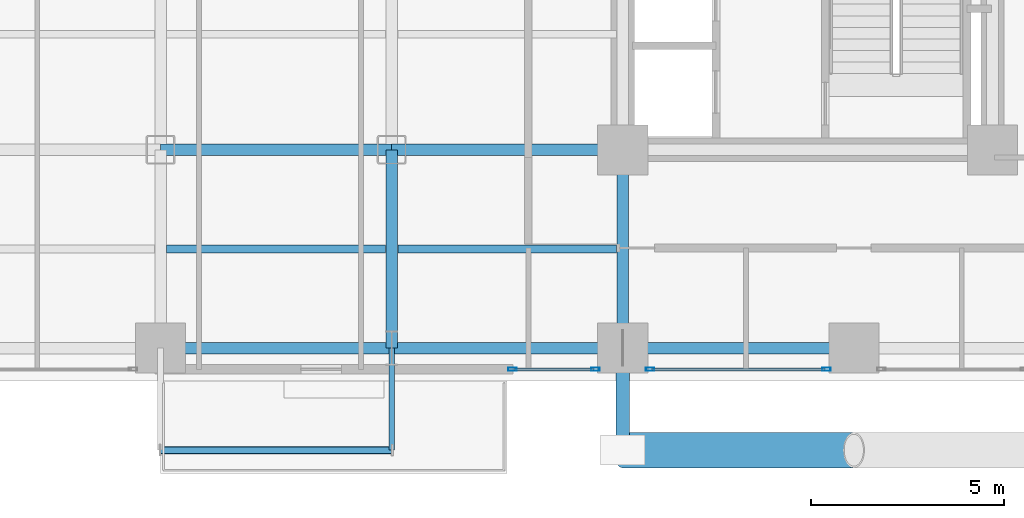
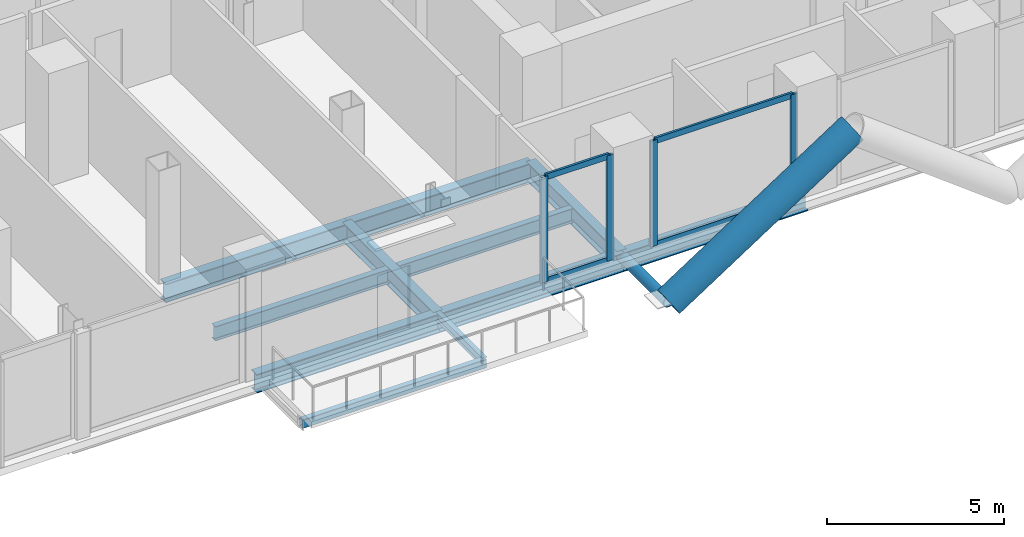
# One storey, part 3 of 25: 11 beams, 10 members, 2 elements without a shape of their own.
"""IFC4 building model written with IfcOpenShell, lengths in metres."""

import ifcopenshell
import ifcopenshell.guid

model = None  # the IFC model being written
_history = None  # IfcOwnerHistory: only IFC2X3 demands one
_inside = {}  # id of a spatial element -> (the spatial element, [elements in it])
_under = {}  # id of a project, library or spatial element -> (it, [spatial elements below it])
_declared = {}  # id of a project -> (the project, [libraries it declares])
_typed = {}  # id of a type object -> (the type object, [elements of that type])
_made_of = {}  # id of a material, layer set ... -> (it, [elements and type objects made of it])


def new_model(schema):
    """Start an empty IFC model of exactly this schema.

    Asked for "IFC4X3", IfcOpenShell would pick the latest addendum, in which some entities
    have other attributes; the version numbers below select the first issue.
    IFC2X3 requires an IfcOwnerHistory on every rooted entity: one is made here for all.
    """
    global model, _history
    if schema == "IFC4X3":
        model = ifcopenshell.file(schema_version=(4, 3, 0, 0))
    else:
        model = ifcopenshell.file(schema=schema)
    _inside.clear()
    _under.clear()
    _declared.clear()
    _typed.clear()
    _made_of.clear()
    _history = None
    if model.schema == "IFC2X3":
        org = make("IfcOrganization", Name="unknown")
        user = make(
            "IfcPersonAndOrganization",
            ThePerson=make("IfcPerson", FamilyName="unknown"),
            TheOrganization=org,
        )
        app = make(
            "IfcApplication",
            ApplicationDeveloper=org,
            Version="unknown",
            ApplicationFullName="unknown",
            ApplicationIdentifier="unknown",
        )
        _history = make(
            "IfcOwnerHistory",
            OwningUser=user,
            OwningApplication=app,
            ChangeAction="ADDED",
            CreationDate=0,
        )
    return model


def make(cls, **values):
    """One entity of the class cls with the attributes given. An attribute that is None is left unset."""
    return model.create_entity(
        cls, **{name: value for name, value in values.items() if value is not None}
    )


def rooted(cls, **values):
    """An entity with a GlobalId (a new one), such as an element, a storey or a relation."""
    return make(cls, GlobalId=ifcopenshell.guid.new(), OwnerHistory=_history, **values)


def si_unit(unit_type, name, prefix=None):
    """IfcSIUnit, for example si_unit("LENGTHUNIT", "METRE", prefix="MILLI")."""
    return make("IfcSIUnit", UnitType=unit_type, Prefix=prefix, Name=name)


def assignment(units):
    """IfcUnitAssignment: the units of a project."""
    return None if units is None else make("IfcUnitAssignment", Units=units)


def point(xyz):
    """IfcCartesianPoint."""
    return None if xyz is None else make("IfcCartesianPoint", Coordinates=xyz)


def direction(xyz):
    """IfcDirection."""
    return None if xyz is None else make("IfcDirection", DirectionRatios=xyz)


def frame(location, z_axis=None, x_axis=None):
    """IfcAxis2Placement3D, a coordinate frame: its origin and axes. An axis left out is left unset."""
    return make(
        "IfcAxis2Placement3D",
        Location=point(location),
        Axis=direction(z_axis),
        RefDirection=direction(x_axis),
    )


def frame_2d(location, x_axis=None):
    """IfcAxis2Placement2D, a coordinate frame in the plane: its origin and x axis."""
    return make(
        "IfcAxis2Placement2D", Location=point(location), RefDirection=direction(x_axis)
    )


def origin():
    """The frame at (0, 0, 0) with its axes left unset."""
    return frame((0.0, 0.0, 0.0))


def origin_2d():
    """The frame at (0, 0) in the plane with its x axis left unset."""
    return frame_2d((0.0, 0.0))


def place(relative_to, where):
    """IfcLocalPlacement: puts the frame where relative to a parent placement (None: the world)."""
    return make(
        "IfcLocalPlacement", PlacementRelTo=relative_to, RelativePlacement=where
    )


def context(
    kind, dimensions, precision=None, world=None, true_north=None, identifier=None
):
    """IfcGeometricRepresentationContext, for example the 3D "Model" context."""
    return make(
        "IfcGeometricRepresentationContext",
        ContextIdentifier=identifier,
        ContextType=kind,
        CoordinateSpaceDimension=dimensions,
        Precision=precision,
        WorldCoordinateSystem=world,
        TrueNorth=true_north,
    )


def subcontext(parent, identifier, kind, view, scale=None):
    """IfcGeometricRepresentationSubContext, for example "Body" below "Model"."""
    return make(
        "IfcGeometricRepresentationSubContext",
        ContextIdentifier=identifier,
        ContextType=kind,
        ParentContext=parent,
        TargetScale=scale,
        TargetView=view,
    )


def project(units=None, contexts=None):
    """IfcProject with its units and contexts."""
    return rooted(
        "IfcProject",
        Name="project",
        RepresentationContexts=contexts,
        UnitsInContext=assignment(units),
    )


def spatial(cls, under=None, at=None, **own):
    """A site, building, storey or space (cls), placed at a placement, below another one or the project."""
    s = rooted(cls, ObjectPlacement=at, **own)
    if under is not None:
        _under.setdefault(under.id(), (under, []))[1].append(s)
    return s


def profile(cls, at=None, kind="AREA", **sizes):
    """A parametric profile (cls). Its sizes go by their IFC names, for example OverallWidth=200.0."""
    return make(cls, ProfileType=kind, Position=at, **sizes)


def hollow_rectangle(**sizes):
    """IfcRectangleHollowProfileDef."""
    return profile("IfcRectangleHollowProfileDef", **sizes)


def hollow_circle(**sizes):
    """IfcCircleHollowProfileDef."""
    return profile("IfcCircleHollowProfileDef", **sizes)


def i_section(**sizes):
    """IfcIShapeProfileDef."""
    return profile("IfcIShapeProfileDef", **sizes)


def extrude(swept, where, along, depth):
    """IfcExtrudedAreaSolid: the profile swept, set in the frame where, extruded along a direction by depth."""
    return make(
        "IfcExtrudedAreaSolid",
        SweptArea=swept,
        Position=where,
        ExtrudedDirection=direction(along),
        Depth=depth,
    )


def shape(context_of_items, identifier, shape_type, items):
    """IfcShapeRepresentation: the items that make up one representation, for example the "Body"."""
    return make(
        "IfcShapeRepresentation",
        ContextOfItems=context_of_items,
        RepresentationIdentifier=identifier,
        RepresentationType=shape_type,
        Items=items,
    )


def material(Name=None, Category=None):
    """IfcMaterial."""
    return make("IfcMaterial", Name=Name, Category=Category)


def layer(
    of_material, thickness, ventilated=None, Name=None, Category=None, Priority=None
):
    """IfcMaterialLayer: one layer of a wall or slab, of a material (None: an air gap)."""
    return make(
        "IfcMaterialLayer",
        Material=of_material,
        LayerThickness=thickness,
        IsVentilated=ventilated,
        Name=Name,
        Category=Category,
        Priority=Priority,
    )


def layer_set(layers, Name=None):
    """IfcMaterialLayerSet."""
    return make("IfcMaterialLayerSet", MaterialLayers=layers, LayerSetName=Name)


def material_profile(
    of_material, cross_section, Name=None, Category=None, Priority=None
):
    """IfcMaterialProfile: a cross section and its material."""
    return make(
        "IfcMaterialProfile",
        Name=Name,
        Material=of_material,
        Profile=cross_section,
        Priority=Priority,
        Category=Category,
    )


def profile_set(profiles, Name=None, composite=None):
    """IfcMaterialProfileSet."""
    return make(
        "IfcMaterialProfileSet",
        Name=Name,
        MaterialProfiles=profiles,
        CompositeProfile=composite,
    )


def made_of(thing, what):
    """Note that an element or type object is made of a material, layer set ...; save() writes the relation."""
    if what is not None:
        _made_of.setdefault(what.id(), (what, []))[1].append(thing)
    return thing


def type_object(cls, material=None, **own):
    """A type object (cls), such as IfcWallType, which elements share."""
    return made_of(rooted(cls, **own), material)


def element(
    cls,
    number,
    at=None,
    inside=None,
    cuts=None,
    type_object=None,
    material=None,
    context=None,
    identifier="Body",
    shape_type=None,
    held_by="IfcProductDefinitionShape",
    body=None,
    shapes=None,
    **own,
):
    """One element of the class cls, such as IfcWall. Its Tag is "e" and its number.

    at: its placement. inside: the storey or other place that contains it. cuts: it is an
    opening in that element (IfcRelVoidsElement). A single representation is given by context,
    identifier, shape_type and body (its items); several are given by shapes. held_by: the class
    of the entity that holds the representations. save() writes the other relations.
    """
    e = rooted(cls, Tag="e%d" % number, ObjectPlacement=at, **own)
    if body is not None:
        shapes = [shape(context, identifier, shape_type, body)]
    if shapes is not None:
        e.Representation = make(held_by, Representations=shapes)
    if inside is not None:
        _inside.setdefault(inside.id(), (inside, []))[1].append(e)
    if cuts is not None:
        rooted(
            "IfcRelVoidsElement", RelatingBuildingElement=cuts, RelatedOpeningElement=e
        )
    if type_object is not None:
        _typed.setdefault(type_object.id(), (type_object, []))[1].append(e)
    return made_of(e, material)


def aggregate(whole, parts):
    """IfcRelAggregates: a whole, such as a stair, and the parts it consists of."""
    return rooted("IfcRelAggregates", RelatingObject=whole, RelatedObjects=parts)


def save(model, path):
    """Write the relations noted so far, then the file.

    IfcRelAggregates (storeys below a building ...), IfcRelContainedInSpatialStructure (elements
    in a storey), IfcRelDefinesByType, IfcRelAssociatesMaterial and IfcRelDeclares: one each for
    every whole, place, type object, material and project.
    """
    for whole, parts in _under.values():
        aggregate(whole, parts)
    for where, things in _inside.values():
        rooted(
            "IfcRelContainedInSpatialStructure",
            RelatedElements=things,
            RelatingStructure=where,
        )
    for kind, things in _typed.values():
        rooted("IfcRelDefinesByType", RelatedObjects=things, RelatingType=kind)
    for what, things in _made_of.values():
        rooted("IfcRelAssociatesMaterial", RelatedObjects=things, RelatingMaterial=what)
    for by, libraries in _declared.values():
        rooted("IfcRelDeclares", RelatingContext=by, RelatedDefinitions=libraries)
    model.write(path)


model = new_model("IFC4")

# Units and contexts
model_context = context("Model", 3, precision=1e-05, world=origin(), true_north=direction((0.0, 1.0)))
body_context = subcontext(model_context, "Body", "Model", "MODEL_VIEW")
ifc_project = project(units=[si_unit("LENGTHUNIT", "METRE"), si_unit("AREAUNIT", "SQUARE_METRE"), si_unit("VOLUMEUNIT", "CUBIC_METRE"), si_unit("PLANEANGLEUNIT", "RADIAN"), si_unit("MASSUNIT", "GRAM", prefix="KILO"), si_unit("THERMODYNAMICTEMPERATUREUNIT", "KELVIN"), si_unit("POWERUNIT", "WATT")], contexts=[model_context])

# Site, building, storey
site_placement = place(None, origin())
site = spatial("IfcSite", under=ifc_project, at=site_placement, CompositionType="ELEMENT")
building_placement = place(site_placement, origin())
building = spatial("IfcBuilding", under=site, at=building_placement, Name="Svarakhadi Broadcast Tower", CompositionType="ELEMENT")
storey_placement = place(building_placement, frame((0.0, 0.0, 51.89990234375)))
storey = spatial("IfcBuildingStorey", under=building, at=storey_placement, Name="L11", CompositionType="ELEMENT", Elevation=51.89990234375)

# Beams
ifc_material_1 = material(Name="Steel S355J2 (IS 2062 E350C)", Category="steel")
ifc_material_profile_1 = material_profile(ifc_material_1, i_section(OverallWidth=0.199951171875, OverallDepth=0.5, WebThickness=0.01025390625, FlangeThickness=0.01611328125, FilletRadius=0.02099609375, at=origin_2d()), Name="NPB 500x200x91")
ifc_profile_set_1 = profile_set([ifc_material_profile_1], Name="Steel S355J2 (IS 2062 E350C)")
beam_type_1 = type_object("IfcBeamType", Name="Beam_NPB500", PredefinedType="BEAM", material=ifc_profile_set_1)
for number, where, z_axis, x_axis, name in (
    (1, (12.159912109375, 3.425048828125, -0.5), (1.0, 0.0, 0.0), (0.0, 1.0, 0.0), "L11 Secondary Composite Beam SB013"),
    (2, (18.159912109375, 3.425048828125, -0.5), (1.0, 0.0, 0.0), (0.0, 1.0, 0.0), "L11 Secondary Composite Beam SB019"),
):
    element("IfcBeam", number, at=place(storey_placement, frame(where, z_axis=z_axis, x_axis=x_axis)), inside=storey, type_object=beam_type_1, Name=name, PredefinedType="BEAM", context=body_context, shape_type="SweptSolid", body=[
        extrude(i_section(OverallWidth=0.199951171875, OverallDepth=0.5, WebThickness=0.01025390625, FlangeThickness=0.01611328125, FilletRadius=0.02099609375, at=origin_2d()), origin(), (0.0, 0.0, 1.0), 5.68017578125),
    ])

# Curtain wall, members
ifc_material_2 = material(Name="Anodised Bronze Aluminium AA 6063-T6", Category="aluminium")
ifc_layer = layer(ifc_material_2, 0.219970703125)
ifc_layer_set = layer_set([ifc_layer], Name="Anodised Bronze Aluminium AA 6063-T6")
curtain_wall_type = type_object("IfcCurtainWallType", Name="CW_Sys_02", PredefinedType="NOTDEFINED", material=ifc_layer_set)
curtain_wall_1_placement = place(storey_placement, origin())
curtain_wall_1 = element("IfcCurtainWall", 3, at=curtain_wall_1_placement, inside=storey, type_object=curtain_wall_type, Name="L11 South Curtain Wall 16 Bay 5", PredefinedType="NOTDEFINED")
ifc_material_profile_2 = material_profile(ifc_material_2, hollow_rectangle(XDim=0.0849609375, YDim=0.219970703125, WallThickness=0.006103515625, at=origin_2d()), Name="ALU MULLION 220x85x6")
ifc_profile_set_2 = profile_set([ifc_material_profile_2], Name="Anodised Bronze Aluminium AA 6063-T6")
member_type_1 = type_object("IfcMemberType", Name="CW_Sys_02_Mul", PredefinedType="MULLION", material=ifc_profile_set_2)
member_1_placement = place(storey_placement, frame((29.28759765625, 0.300048828125, 0.0), z_axis=(0.0, 0.0, 1.0), x_axis=(0.0, -1.0, 0.0)))
member_1 = element("IfcMember", 4, at=member_1_placement, type_object=member_type_1, Name="CW-02 mullion 1", PredefinedType="MULLION", context=body_context, shape_type="SweptSolid", body=[
    extrude(hollow_rectangle(XDim=0.0849609375, YDim=0.219970703125, WallThickness=0.006103515625, at=origin_2d()), origin(), (0.0, 0.0, 1.0), 3.650146484375),
])
member_2_placement = place(storey_placement, frame((24.71240234375, 0.300048828125, 0.0), z_axis=(0.0, 0.0, 1.0), x_axis=(0.0, -1.0, 0.0)))
member_2 = element("IfcMember", 5, at=member_2_placement, type_object=member_type_1, Name="CW-02 mullion 2", PredefinedType="MULLION", context=body_context, shape_type="SweptSolid", body=[
    extrude(hollow_rectangle(XDim=0.0849609375, YDim=0.219970703125, WallThickness=0.006103515625, at=origin_2d()), origin(), (0.0, 0.0, 1.0), 3.650146484375),
])

curtain_wall_2_placement = place(storey_placement, origin())
curtain_wall_2 = element("IfcCurtainWall", 6, at=curtain_wall_2_placement, inside=storey, type_object=curtain_wall_type, Name="L11 South Curtain Wall 16 Bay 6", PredefinedType="NOTDEFINED")
member_3_placement = place(storey_placement, frame((23.28759765625, 0.300048828125, 0.0), z_axis=(0.0, 0.0, 1.0), x_axis=(0.0, -1.0, 0.0)))
member_3 = element("IfcMember", 7, at=member_3_placement, type_object=member_type_1, Name="CW-02 mullion 1", PredefinedType="MULLION", context=body_context, shape_type="SweptSolid", body=[
    extrude(hollow_rectangle(XDim=0.0849609375, YDim=0.219970703125, WallThickness=0.006103515625, at=origin_2d()), origin(), (0.0, 0.0, 1.0), 3.650146484375),
])
member_4_placement = place(storey_placement, frame((21.132568359375, 0.300048828125, 0.0), z_axis=(0.0, 0.0, 1.0), x_axis=(0.0, -1.0, 0.0)))
member_4 = element("IfcMember", 8, at=member_4_placement, type_object=member_type_1, Name="CW-02 mullion 2", PredefinedType="MULLION", context=body_context, shape_type="SweptSolid", body=[
    extrude(hollow_rectangle(XDim=0.0849609375, YDim=0.219970703125, WallThickness=0.006103515625, at=origin_2d()), origin(), (0.0, 0.0, 1.0), 3.650146484375),
])

# Member
ifc_material_profile_3 = material_profile(ifc_material_2, hollow_rectangle(XDim=0.074951171875, YDim=0.199951171875, WallThickness=0.0048828125, at=origin_2d()), Name="ALU TRANSOM 200x75x5")
ifc_profile_set_3 = profile_set([ifc_material_profile_3], Name="Anodised Bronze Aluminium AA 6063-T6")
member_type_2 = type_object("IfcMemberType", Name="CW_Sys_02_Trn", PredefinedType="USERDEFINED", material=ifc_profile_set_3)
member_5_placement = place(storey_placement, frame((29.2451171875, 0.300048828125, 0.03759765625), z_axis=(-1.0, 0.0, 0.0), x_axis=(0.0, -1.0, 0.0)))
member_5 = element("IfcMember", 9, at=member_5_placement, type_object=member_type_2, Name="CW-02 transom 1.1", ObjectType="TRANSOM", PredefinedType="USERDEFINED", context=body_context, shape_type="SweptSolid", body=[
    extrude(hollow_rectangle(XDim=0.074951171875, YDim=0.199951171875, WallThickness=0.0048828125, at=origin_2d()), origin(), (0.0, 0.0, 1.0), 4.490234375),
])

member_6_placement = place(storey_placement, frame((29.2451171875, 0.300048828125, 3.612548828125), z_axis=(-1.0, 0.0, 0.0), x_axis=(0.0, -1.0, 0.0)))
member_6 = element("IfcMember", 10, at=member_6_placement, type_object=member_type_2, Name="CW-02 transom 1.2", ObjectType="TRANSOM", PredefinedType="USERDEFINED", context=body_context, shape_type="SweptSolid", body=[
    extrude(hollow_rectangle(XDim=0.074951171875, YDim=0.199951171875, WallThickness=0.0048828125, at=origin_2d()), origin(), (0.0, 0.0, 1.0), 4.490234375),
])

aggregate(curtain_wall_1, [member_1, member_2, member_5, member_6])

member_7_placement = place(storey_placement, frame((23.2451171875, 0.300048828125, 0.03759765625), z_axis=(-1.0, 0.0, 0.0), x_axis=(0.0, -1.0, 0.0)))
member_7 = element("IfcMember", 11, at=member_7_placement, type_object=member_type_2, Name="CW-02 transom 1.1", ObjectType="TRANSOM", PredefinedType="USERDEFINED", context=body_context, shape_type="SweptSolid", body=[
    extrude(hollow_rectangle(XDim=0.074951171875, YDim=0.199951171875, WallThickness=0.0048828125, at=origin_2d()), origin(), (0.0, 0.0, 1.0), 2.070068359375),
])

member_8_placement = place(storey_placement, frame((23.2451171875, 0.300048828125, 3.612548828125), z_axis=(-1.0, 0.0, 0.0), x_axis=(0.0, -1.0, 0.0)))
member_8 = element("IfcMember", 12, at=member_8_placement, type_object=member_type_2, Name="CW-02 transom 1.2", ObjectType="TRANSOM", PredefinedType="USERDEFINED", context=body_context, shape_type="SweptSolid", body=[
    extrude(hollow_rectangle(XDim=0.074951171875, YDim=0.199951171875, WallThickness=0.0048828125, at=origin_2d()), origin(), (0.0, 0.0, 1.0), 2.070068359375),
])

aggregate(curtain_wall_2, [member_3, member_4, member_7, member_8])

# Members
ifc_material_3 = material(Name="Steel S460ML (IS 2062 E450BR)", Category="steel")
ifc_material_profile_4 = material_profile(ifc_material_3, hollow_circle(Radius=0.45703125, WallThickness=0.044921875, at=origin_2d()), Name="CHS 914x45")
ifc_profile_set_4 = profile_set([ifc_material_profile_4], Name="Steel S460ML (IS 2062 E450BR)")
member_type_3 = type_object("IfcMemberType", Name="Exo_Brace_CHS914", PredefinedType="BRACE", material=ifc_profile_set_4)
member_9_placement = place(storey_placement, frame((24.0, -1.800048828125, -0.427734375), z_axis=(0.838434262763, 0.0, 0.545002740383), x_axis=(0.0, 1.0, 0.0)))
element("IfcMember", 13, at=member_9_placement, inside=storey, type_object=member_type_3, Name="L11 Exposed Bronze Exoskeleton Diagonal S01", PredefinedType="BRACE", context=body_context, shape_type="SweptSolid", body=[
    extrude(hollow_circle(Radius=0.45703125, WallThickness=0.044921875, at=origin_2d()), origin(), (0.0, 0.0, 1.0), 7.15625),
])
ifc_material_profile_5 = material_profile(ifc_material_3, hollow_circle(Radius=0.177734375, WallThickness=0.02001953125, at=origin_2d()), Name="CHS 355.6x20")
ifc_profile_set_5 = profile_set([ifc_material_profile_5], Name="Steel S460ML (IS 2062 E450BR)")
member_type_4 = type_object("IfcMemberType", Name="Exo_Radial_Strut_Z1", PredefinedType="STRUT", material=ifc_profile_set_5)
member_10_placement = place(storey_placement, frame((24.0, -1.800048828125, -0.427734375), z_axis=(0.0, 1.0, 0.0), x_axis=(-1.0, 0.0, 0.0)))
element("IfcMember", 14, at=member_10_placement, inside=storey, type_object=member_type_4, Name="L11 Exoskeleton Radial Tie Strut S01", PredefinedType="STRUT", context=body_context, shape_type="SweptSolid", body=[
    extrude(hollow_circle(Radius=0.177734375, WallThickness=0.02001953125, at=origin_2d()), origin(), (0.0, 0.0, 1.0), 2.650146484375),
])

# Beams
ifc_material_profile_6 = material_profile(ifc_material_1, i_section(OverallWidth=0.300048828125, OverallDepth=0.64990234375, WebThickness=0.01611328125, FlangeThickness=0.031005859375, FilletRadius=0.027099609375, at=origin_2d()), Name="WPB 650x300x225")
ifc_profile_set_6 = profile_set([ifc_material_profile_6], Name="Steel S355J2 (IS 2062 E350C)")
beam_type_2 = type_object("IfcBeamType", Name="Girder_WPB650", PredefinedType="USERDEFINED", material=ifc_profile_set_6)
for number, where, z_axis, x_axis, name in (
    (15, (12.0, 0.85009765625, -0.574951171875), (1.0, 0.0, 0.0), (0.0, 1.0, 0.0), "L11 Primary E-W Girder G005"),
    (16, (18.0, 0.85009765625, -0.574951171875), (1.0, 0.0, 0.0), (0.0, 1.0, 0.0), "L11 Primary E-W Girder G006"),
    (17, (24.0, 0.85009765625, -0.574951171875), (1.0, 0.0, 0.0), (0.0, 1.0, 0.0), "L11 Primary E-W Girder G007"),
    (18, (12.0, 6.0, -0.574951171875), (1.0, 0.0, 0.0), (0.0, 1.0, 0.0), "L11 Primary E-W Girder G013"),
    (19, (18.0, 6.0, -0.574951171875), (1.0, 0.0, 0.0), (0.0, 1.0, 0.0), "L11 Primary E-W Girder G014"),
):
    element("IfcBeam", number, at=place(storey_placement, frame(where, z_axis=z_axis, x_axis=x_axis)), inside=storey, type_object=beam_type_2, Name=name, ObjectType="GIRDER", PredefinedType="USERDEFINED", context=body_context, shape_type="SweptSolid", body=[
        extrude(i_section(OverallWidth=0.300048828125, OverallDepth=0.64990234375, WebThickness=0.01611328125, FlangeThickness=0.031005859375, FilletRadius=0.027099609375, at=origin_2d()), origin(), (0.0, 0.0, 1.0), 6.0),
    ])
for number, where, z_axis, x_axis, name in (
    (20, (18.0, 0.85009765625, -0.574951171875), (0.0, 1.0, 0.0), (-1.0, 0.0, 0.0), "L11 Primary N-S Girder G064"),
    (21, (24.0, 0.85009765625, -0.574951171875), (0.0, 1.0, 0.0), (-1.0, 0.0, 0.0), "L11 Primary N-S Girder G071"),
):
    element("IfcBeam", number, at=place(storey_placement, frame(where, z_axis=z_axis, x_axis=x_axis)), inside=storey, type_object=beam_type_2, Name=name, ObjectType="GIRDER", PredefinedType="USERDEFINED", context=body_context, shape_type="SweptSolid", body=[
        extrude(i_section(OverallWidth=0.300048828125, OverallDepth=0.64990234375, WebThickness=0.01611328125, FlangeThickness=0.031005859375, FilletRadius=0.027099609375, at=origin_2d()), origin(), (0.0, 0.0, 1.0), 5.14990234375),
    ])
ifc_material_profile_7 = material_profile(ifc_material_1, i_section(OverallWidth=0.14990234375, OverallDepth=0.300048828125, WebThickness=0.007080078125, FlangeThickness=0.0107421875, FilletRadius=0.014892578125, at=origin_2d()), Name="NPB 300x150x37")
ifc_profile_set_7 = profile_set([ifc_material_profile_7], Name="Steel S355J2 (IS 2062 E350C)")
beam_type_3 = type_object("IfcBeamType", Name="Spandrel_NPB300", PredefinedType="SPANDREL", material=ifc_profile_set_7)
beam_1_placement = place(storey_placement, frame((18.0, 0.85009765625, -0.39990234375), z_axis=(0.0, -1.0, 0.0), x_axis=(1.0, 0.0, 0.0)))
element("IfcBeam", 22, at=beam_1_placement, inside=storey, type_object=beam_type_3, Name="L11 Balcony Cantilever Bracket 1B", PredefinedType="SPANDREL", context=body_context, shape_type="SweptSolid", body=[
    extrude(i_section(OverallWidth=0.14990234375, OverallDepth=0.300048828125, WebThickness=0.007080078125, FlangeThickness=0.0107421875, FilletRadius=0.014892578125, at=origin_2d()), origin(), (0.0, 0.0, 1.0), 2.650146484375),
])
ifc_material_profile_8 = material_profile(ifc_material_3, hollow_rectangle(XDim=0.199951171875, YDim=0.300048828125, WallThickness=0.012451171875, InnerFilletRadius=0.012451171875, OuterFilletRadius=0.02490234375, at=origin_2d()), Name="RHS 300x200x12.5")
ifc_profile_set_8 = profile_set([ifc_material_profile_8], Name="Steel S460ML (IS 2062 E450BR)")
beam_type_4 = type_object("IfcBeamType", Name="Spandrel_RHS300", PredefinedType="SPANDREL", material=ifc_profile_set_8)
beam_2_placement = place(storey_placement, frame((12.0, -1.800048828125, -0.39990234375), z_axis=(1.0, 0.0, 0.0), x_axis=(0.0, 1.0, 0.0)))
element("IfcBeam", 23, at=beam_2_placement, inside=storey, type_object=beam_type_4, Name="L11 Balcony Outer Spandrel 1F", PredefinedType="SPANDREL", context=body_context, shape_type="SweptSolid", body=[
    extrude(hollow_rectangle(XDim=0.199951171875, YDim=0.300048828125, WallThickness=0.012451171875, InnerFilletRadius=0.012451171875, OuterFilletRadius=0.02490234375, at=origin_2d()), origin(), (0.0, 0.0, 1.0), 6.0),
])

save(model, "model.ifc")
